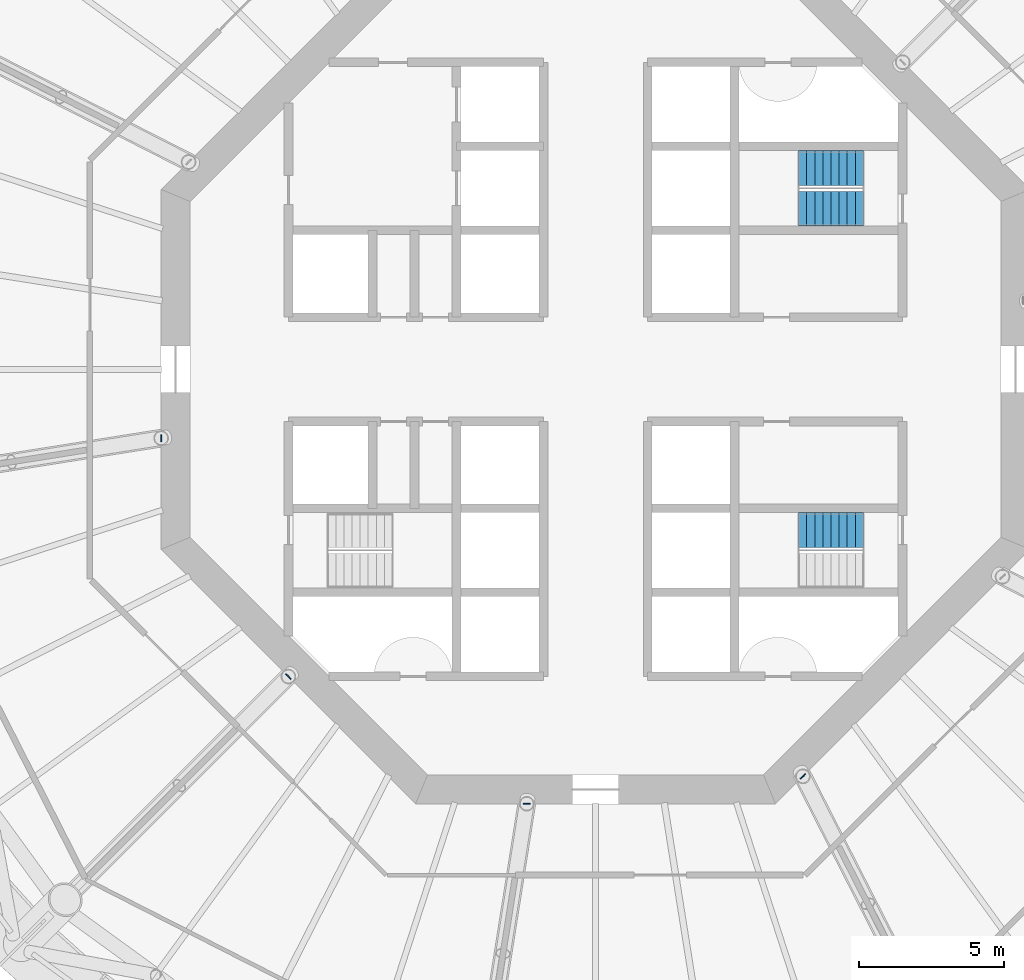
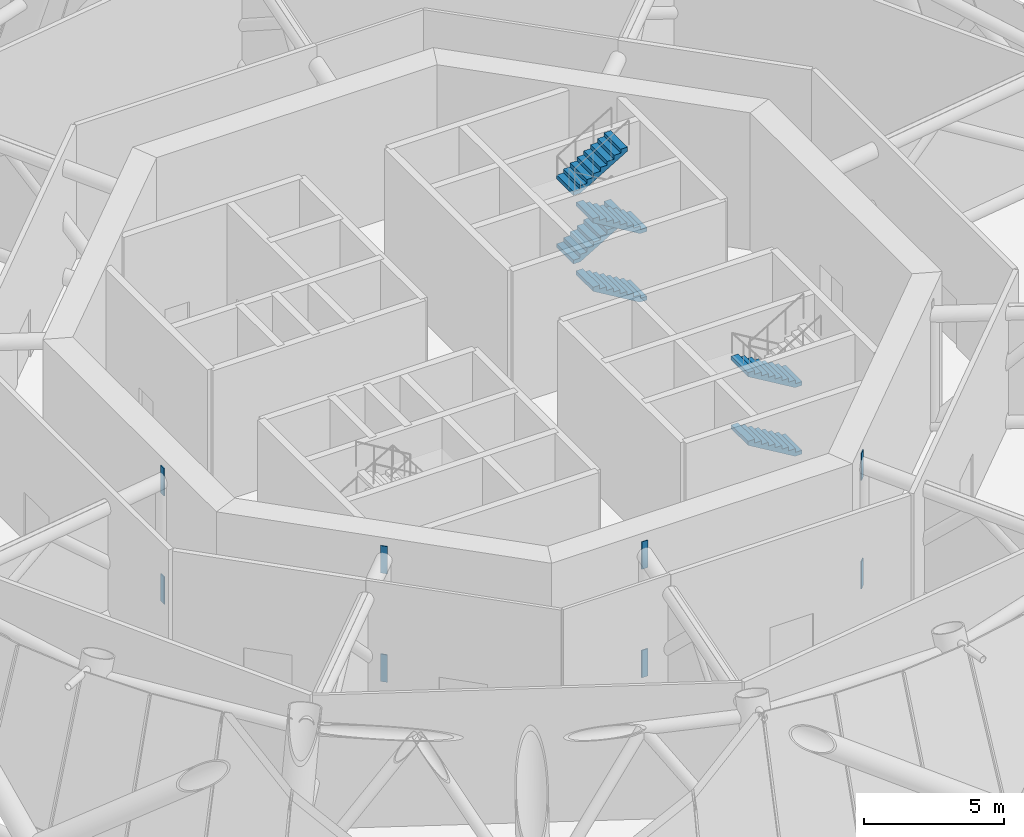
# One storey, part 10 of 15: 8 discrete accessories, 6 stair flights, 2 elements without a shape of their own.
"""IFC4 building model written with IfcOpenShell, lengths in metres."""

from ifc_helpers import new_model, si_unit, direction, frame, origin, origin_2d, place, context, subcontext, project, spatial, polyline, rectangle, outline, extrude, material, type_object, element, aggregate, save


model = new_model("IFC4")

# Units and contexts
model_context = context("Model", 3, precision=1e-05, world=origin(), true_north=direction((0.0, 1.0)))
body_context = subcontext(model_context, "Body", "Model", "MODEL_VIEW")
ifc_project = project(units=[si_unit("LENGTHUNIT", "METRE"), si_unit("AREAUNIT", "SQUARE_METRE"), si_unit("VOLUMEUNIT", "CUBIC_METRE"), si_unit("PLANEANGLEUNIT", "RADIAN"), si_unit("MASSUNIT", "GRAM", prefix="KILO")], contexts=[model_context])

# Site, building, storey
site_placement = place(None, origin())
site = spatial("IfcSite", under=ifc_project, at=site_placement, CompositionType="ELEMENT")
building_placement = place(site_placement, origin())
building = spatial("IfcBuilding", under=site, at=building_placement, Name="Entoto Ring Tower", CompositionType="ELEMENT")
storey_placement = place(building_placement, frame((0.0, 0.0, 200.0)))
storey = spatial("IfcBuildingStorey", under=building, at=storey_placement, Name="L46", CompositionType="ELEMENT", Elevation=200.0)

# Stair, stair flights
ifc_material_1 = material(Name="Concrete C40/50", Category="concrete")
stair_type = type_object("IfcStairType", Name="Exit stair 1200 mm dog-leg reinforced concrete", PredefinedType="HALF_TURN_STAIR", material=ifc_material_1)
stair_1_placement = place(storey_placement, origin())
stair_1 = element("IfcStair", 1, at=stair_1_placement, inside=storey, type_object=stair_type, Name="Exit stair 1", PredefinedType="HALF_TURN_STAIR")
ifc_material_2 = material(Name="Concrete C40/50", Category="concrete")
stair_flight_type = type_object("IfcStairFlightType", Name="Stair flight 1200 mm reinforced concrete", PredefinedType="STRAIGHT", material=ifc_material_2)
stair_flight_1_placement = place(storey_placement, frame((99.25, 85.550048828125, 0.0), z_axis=(0.0, 0.0, 1.0), x_axis=(-1.0, 0.0, 0.0)))
stair_flight_1 = element("IfcStairFlight", 2, at=stair_flight_1_placement, type_object=stair_flight_type, Name="ST1 flight 1", NumberOfRisers=9, NumberOfTreads=8, PredefinedType="STRAIGHT", RiserHeight=0.166666667, TreadLength=0.28, context=body_context, shape_type="SweptSolid", body=[
    extrude(outline(polyline([(0.0, 0.0), (0.0, 0.166748046875), (0.280029296875, 0.166748046875), (0.280029296875, 0.333251953125), (0.56005859375, 0.333251953125), (0.56005859375, 0.5), (0.840087890625, 0.5), (0.840087890625, 0.666748046875), (1.1201171875, 0.666748046875), (1.1201171875, 0.833251953125), (1.39990234375, 0.833251953125), (1.39990234375, 1.0), (1.679931640625, 1.0), (1.679931640625, 1.166748046875), (1.9599609375, 1.166748046875), (1.9599609375, 1.333251953125), (2.239990234375, 1.333251953125), (2.239990234375, 1.5), (2.239990234375, 1.158935546875), (0.29296875, 0.0), (0.0, 0.0)])), frame((0.0, 0.60009765625, 0.0), z_axis=(0.0, -1.0, 0.0), x_axis=(1.0, 0.0, 0.0)), (0.0, 0.0, 1.0), 1.199951171875),
])
stair_flight_2_placement = place(storey_placement, frame((97.010009765625, 86.949951171875, 1.5), z_axis=(0.0, 0.0, 1.0), x_axis=(1.0, 0.0, 0.0)))
stair_flight_2 = element("IfcStairFlight", 3, at=stair_flight_2_placement, type_object=stair_flight_type, Name="ST1 flight 2", NumberOfRisers=9, NumberOfTreads=8, PredefinedType="STRAIGHT", RiserHeight=0.166666667, TreadLength=0.28, context=body_context, shape_type="SweptSolid", body=[
    extrude(outline(polyline([(0.0, 0.0), (0.0, 0.166748046875), (0.280029296875, 0.166748046875), (0.280029296875, 0.333251953125), (0.56005859375, 0.333251953125), (0.56005859375, 0.5), (0.840087890625, 0.5), (0.840087890625, 0.666748046875), (1.1201171875, 0.666748046875), (1.1201171875, 0.833251953125), (1.39990234375, 0.833251953125), (1.39990234375, 1.0), (1.679931640625, 1.0), (1.679931640625, 1.166748046875), (1.9599609375, 1.166748046875), (1.9599609375, 1.333251953125), (2.239990234375, 1.333251953125), (2.239990234375, 1.5), (2.239990234375, 1.158935546875), (0.29296875, 0.0), (0.0, 0.0)])), frame((0.0, 0.60009765625, 0.0), z_axis=(0.0, -1.0, 0.0), x_axis=(1.0, 0.0, 0.0)), (0.0, 0.0, 1.0), 1.199951171875),
])
stair_flight_3_placement = place(storey_placement, frame((99.25, 85.550048828125, 3.0), z_axis=(0.0, 0.0, 1.0), x_axis=(-1.0, 0.0, 0.0)))
stair_flight_3 = element("IfcStairFlight", 4, at=stair_flight_3_placement, type_object=stair_flight_type, Name="ST1 flight 3", NumberOfRisers=9, NumberOfTreads=8, PredefinedType="STRAIGHT", RiserHeight=0.166666667, TreadLength=0.28, context=body_context, shape_type="SweptSolid", body=[
    extrude(outline(polyline([(0.0, 0.0), (0.0, 0.166748046875), (0.280029296875, 0.166748046875), (0.280029296875, 0.333251953125), (0.56005859375, 0.333251953125), (0.56005859375, 0.5), (0.840087890625, 0.5), (0.840087890625, 0.666748046875), (1.1201171875, 0.666748046875), (1.1201171875, 0.833251953125), (1.39990234375, 0.833251953125), (1.39990234375, 1.0), (1.679931640625, 1.0), (1.679931640625, 1.166748046875), (1.9599609375, 1.166748046875), (1.9599609375, 1.333251953125), (2.239990234375, 1.333251953125), (2.239990234375, 1.5), (2.239990234375, 1.158935546875), (0.29296875, 0.0), (0.0, 0.0)])), frame((0.0, 0.60009765625, 0.0), z_axis=(0.0, -1.0, 0.0), x_axis=(1.0, 0.0, 0.0)), (0.0, 0.0, 1.0), 1.199951171875),
])
stair_flight_4_placement = place(storey_placement, frame((97.010009765625, 86.949951171875, 4.5), z_axis=(0.0, 0.0, 1.0), x_axis=(1.0, 0.0, 0.0)))
stair_flight_4 = element("IfcStairFlight", 5, at=stair_flight_4_placement, type_object=stair_flight_type, Name="ST1 flight 4", NumberOfRisers=9, NumberOfTreads=8, PredefinedType="STRAIGHT", RiserHeight=0.166666667, TreadLength=0.28, context=body_context, shape_type="SweptSolid", body=[
    extrude(outline(polyline([(0.0, 0.0), (0.0, 0.166748046875), (0.280029296875, 0.166748046875), (0.280029296875, 0.333251953125), (0.56005859375, 0.333251953125), (0.56005859375, 0.5), (0.840087890625, 0.5), (0.840087890625, 0.666748046875), (1.1201171875, 0.666748046875), (1.1201171875, 0.833251953125), (1.39990234375, 0.833251953125), (1.39990234375, 1.0), (1.679931640625, 1.0), (1.679931640625, 1.166748046875), (1.9599609375, 1.166748046875), (1.9599609375, 1.333251953125), (2.239990234375, 1.333251953125), (2.239990234375, 1.5), (2.239990234375, 1.158935546875), (0.29296875, 0.0), (0.0, 0.0)])), frame((0.0, 0.60009765625, 0.0), z_axis=(0.0, -1.0, 0.0), x_axis=(1.0, 0.0, 0.0)), (0.0, 0.0, 1.0), 1.199951171875),
])
aggregate(stair_1, [stair_flight_1, stair_flight_2, stair_flight_3, stair_flight_4])

stair_2_placement = place(storey_placement, origin())
stair_2 = element("IfcStair", 6, at=stair_2_placement, inside=storey, type_object=stair_type, Name="Exit stair 3", PredefinedType="HALF_TURN_STAIR")
stair_flight_5_placement = place(storey_placement, frame((99.25, 74.449951171875, 0.0), z_axis=(0.0, 0.0, 1.0), x_axis=(-1.0, 0.0, 0.0)))
stair_flight_5 = element("IfcStairFlight", 7, at=stair_flight_5_placement, type_object=stair_flight_type, Name="ST3 flight 1", NumberOfRisers=9, NumberOfTreads=8, PredefinedType="STRAIGHT", RiserHeight=0.166666667, TreadLength=0.28, context=body_context, shape_type="SweptSolid", body=[
    extrude(outline(polyline([(0.0, 0.0), (0.0, 0.166748046875), (0.280029296875, 0.166748046875), (0.280029296875, 0.333251953125), (0.56005859375, 0.333251953125), (0.56005859375, 0.5), (0.840087890625, 0.5), (0.840087890625, 0.666748046875), (1.1201171875, 0.666748046875), (1.1201171875, 0.833251953125), (1.39990234375, 0.833251953125), (1.39990234375, 1.0), (1.679931640625, 1.0), (1.679931640625, 1.166748046875), (1.9599609375, 1.166748046875), (1.9599609375, 1.333251953125), (2.239990234375, 1.333251953125), (2.239990234375, 1.5), (2.239990234375, 1.158935546875), (0.29296875, 0.0), (0.0, 0.0)])), frame((0.0, 0.60009765625, 0.0), z_axis=(0.0, -1.0, 0.0), x_axis=(1.0, 0.0, 0.0)), (0.0, 0.0, 1.0), 1.199951171875),
])
stair_flight_6_placement = place(storey_placement, frame((99.25, 74.449951171875, 3.0), z_axis=(0.0, 0.0, 1.0), x_axis=(-1.0, 0.0, 0.0)))
stair_flight_6 = element("IfcStairFlight", 8, at=stair_flight_6_placement, type_object=stair_flight_type, Name="ST3 flight 3", NumberOfRisers=9, NumberOfTreads=8, PredefinedType="STRAIGHT", RiserHeight=0.166666667, TreadLength=0.28, context=body_context, shape_type="SweptSolid", body=[
    extrude(outline(polyline([(0.0, 0.0), (0.0, 0.166748046875), (0.280029296875, 0.166748046875), (0.280029296875, 0.333251953125), (0.56005859375, 0.333251953125), (0.56005859375, 0.5), (0.840087890625, 0.5), (0.840087890625, 0.666748046875), (1.1201171875, 0.666748046875), (1.1201171875, 0.833251953125), (1.39990234375, 0.833251953125), (1.39990234375, 1.0), (1.679931640625, 1.0), (1.679931640625, 1.166748046875), (1.9599609375, 1.166748046875), (1.9599609375, 1.333251953125), (2.239990234375, 1.333251953125), (2.239990234375, 1.5), (2.239990234375, 1.158935546875), (0.29296875, 0.0), (0.0, 0.0)])), frame((0.0, 0.60009765625, 0.0), z_axis=(0.0, -1.0, 0.0), x_axis=(1.0, 0.0, 0.0)), (0.0, 0.0, 1.0), 1.199951171875),
])
aggregate(stair_2, [stair_flight_5, stair_flight_6])

# Discrete accessories
ifc_material_3 = material(Name="Steel S355", Category="steel")
for number, where, z_axis, x_axis, name in (
    (9, (75.0, 77.624267578125, -0.294921875), (0.0, 0.0, 1.0), (-1.0, 0.0, 0.0), "Embedded plate L46 bottom 06"),
    (10, (75.0, 77.624267578125, 4.44482421875), (0.0, 0.0, 1.0), (-1.0, 0.0, 0.0), "Embedded plate L46 top 06"),
    (11, (79.393310546875, 69.393310546875, -0.294921875), (0.0, 0.0, 1.0), (-0.707106781187, -0.707106781187, 0.0), "Embedded plate L46 bottom 07"),
    (12, (79.393310546875, 69.393310546875, 4.44482421875), (0.0, 0.0, 1.0), (-0.707106781187, -0.707106781187, 0.0), "Embedded plate L46 top 07"),
    (13, (87.624267578125, 65.0, -0.294921875), (0.0, 0.0, 1.0), (0.0, -1.0, 0.0), "Embedded plate L46 bottom 08"),
    (14, (87.624267578125, 65.0, 4.44482421875), (0.0, 0.0, 1.0), (0.0, -1.0, 0.0), "Embedded plate L46 top 08"),
    (15, (97.160400390625, 65.947021484375, -0.294921875), (0.0, 0.0, 1.0), (0.707106781187, -0.707106781187, 0.0), "Embedded plate L46 bottom 09"),
    (16, (97.160400390625, 65.947021484375, 4.44482421875), (0.0, 0.0, 1.0), (0.707106781187, -0.707106781187, 0.0), "Embedded plate L46 top 09"),
):
    element("IfcDiscreteAccessory", number, at=place(storey_placement, frame(where, z_axis=z_axis, x_axis=x_axis)), inside=storey, material=ifc_material_3, Name=name, PredefinedType="ANCHORPLATE", context=body_context, shape_type="SweptSolid", body=[
        extrude(rectangle(XDim=0.0400390625, YDim=0.25, at=origin_2d()), origin(), (0.0, 0.0, 1.0), 1.199951171875),
    ])

save(model, "model.ifc")
